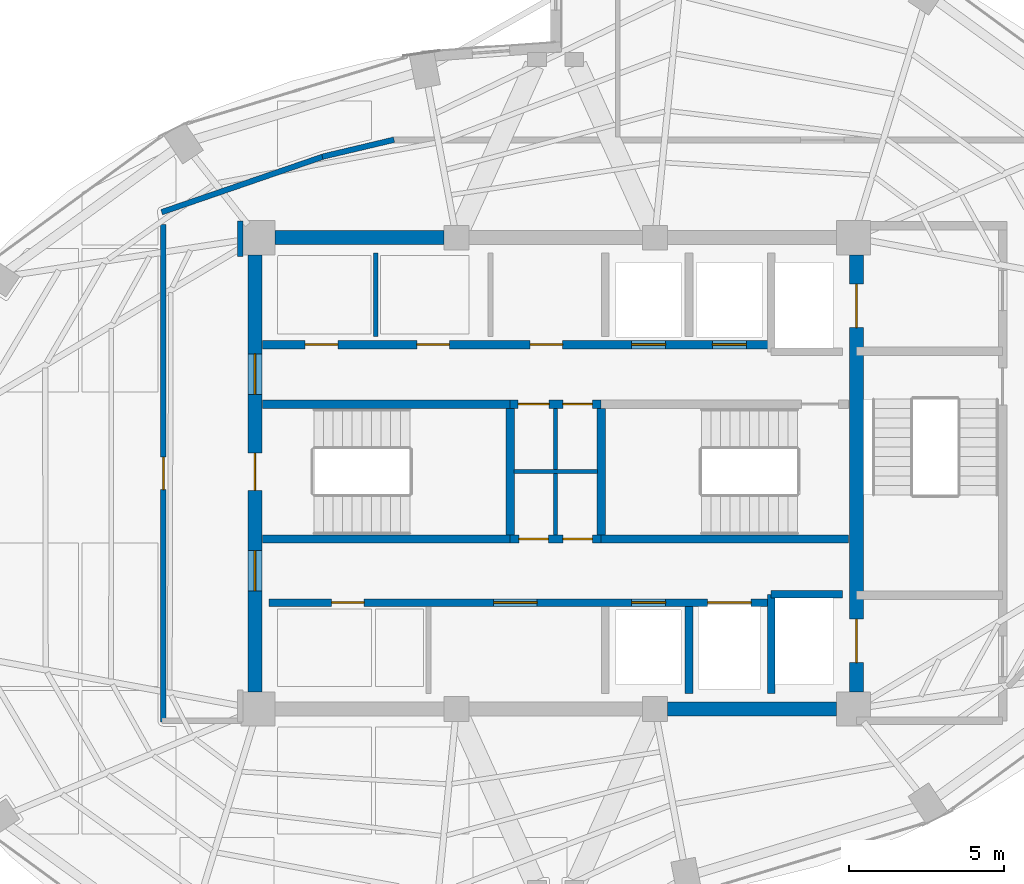
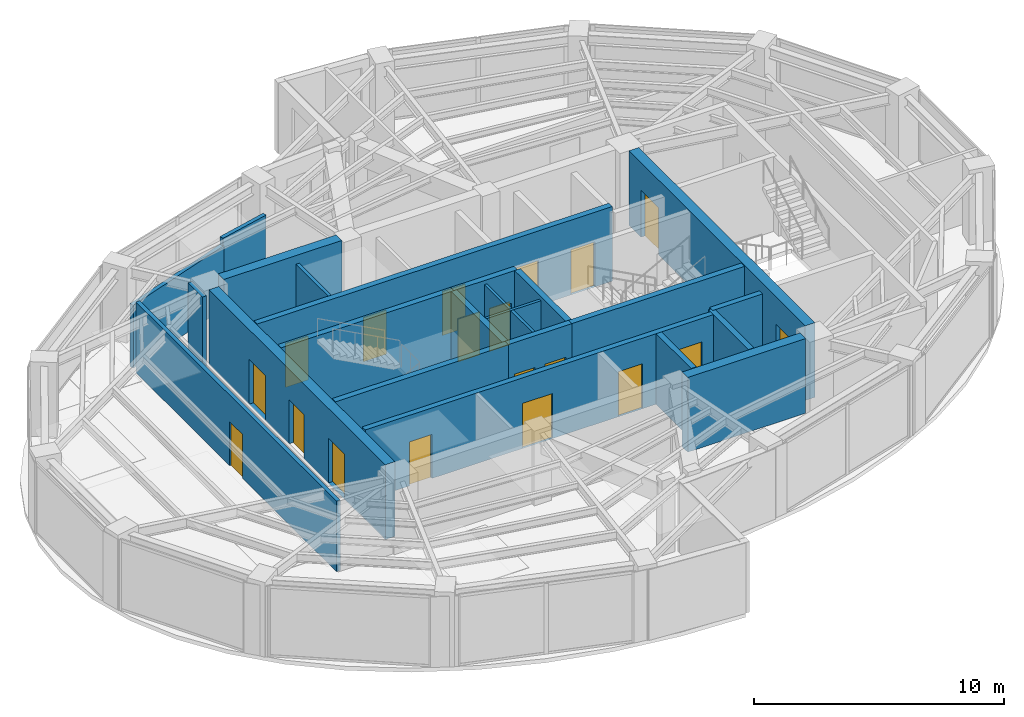
# One storey, part 19 of 22: 23 walls, 19 doors, 19 openings.
"""IFC4 building model written with IfcOpenShell, lengths in metres."""

from ifc_helpers import new_model, si_unit, direction, frame, frame_2d, origin, place, context, subcontext, project, spatial, rectangle, extrude, material, layer, layer_set, type_object, element, fill, save


model = new_model("IFC4")

# Units and contexts
model_context = context("Model", 3, precision=1e-05, world=origin(), true_north=direction((0.0, 1.0)))
body_context = subcontext(model_context, "Body", "Model", "MODEL_VIEW")
ifc_project = project(units=[si_unit("LENGTHUNIT", "METRE"), si_unit("AREAUNIT", "SQUARE_METRE"), si_unit("VOLUMEUNIT", "CUBIC_METRE"), si_unit("PLANEANGLEUNIT", "RADIAN"), si_unit("MASSUNIT", "GRAM", prefix="KILO")], contexts=[model_context])

# Site, building, storey
site_placement = place(None, origin())
site = spatial("IfcSite", under=ifc_project, at=site_placement, CompositionType="ELEMENT")
building_placement = place(site_placement, origin())
building = spatial("IfcBuilding", under=site, at=building_placement, Name="Lazwardi Medical Tower", CompositionType="ELEMENT")
storey_placement = place(building_placement, frame((0.0, 0.0, 258.672119140625)))
storey = spatial("IfcBuildingStorey", under=building, at=storey_placement, Name="L67", CompositionType="ELEMENT", Elevation=258.672119140625)

# Walls
ifc_material_1 = material(Name="Fire-rated gypsum board on steel stud", Category="steel")
ifc_layer_1 = layer(ifc_material_1, 0.179931640625)
ifc_layer_set_1 = layer_set([ifc_layer_1], Name="Fire-rated gypsum board on steel stud")
wall_type_1 = type_object("IfcWallType", Name="WL-COR-180", PredefinedType="PARTITIONING", material=ifc_layer_set_1)
wall_1_placement = place(storey_placement, frame((23.294189453125, 36.422119140625, 0.0), z_axis=(0.0, 0.0, 1.0), x_axis=(0.945493277461, 0.325641616316, 0.0)))
element("IfcWall", 1, at=wall_1_placement, inside=storey, type_object=wall_type_1, Name="L67 Corridor partition 1", PredefinedType="PARTITIONING", context=body_context, shape_type="SweptSolid", body=[
    extrude(rectangle(XDim=5.5615234375, YDim=0.179931640625, at=frame_2d((2.78076171875, 0.0))), origin(), (0.0, 0.0, 1.0), 3.072998046875),
])
wall_2_placement = place(storey_placement, frame((28.475830078125, 38.2109375, 0.0), z_axis=(0.0, 0.0, 1.0), x_axis=(0.973030562203, 0.230676234189, 0.0)))
element("IfcWall", 2, at=wall_2_placement, inside=storey, type_object=wall_type_1, Name="L67 Corridor partition 2", PredefinedType="PARTITIONING", context=body_context, shape_type="SweptSolid", body=[
    extrude(rectangle(XDim=2.377197265625, YDim=0.179931640625, at=frame_2d((1.1884765625, 0.0))), origin(), (0.0, 0.0, 1.0), 3.447998046875),
])
wall_3_placement = place(storey_placement, frame((25.830078125, 36.139892578125, 0.0), z_axis=(0.0, 0.0, 1.0), x_axis=(0.0, -1.0, 0.0)))
element("IfcWall", 3, at=wall_3_placement, inside=storey, type_object=wall_type_1, Name="L67 Corridor partition 7", PredefinedType="PARTITIONING", context=body_context, shape_type="SweptSolid", body=[
    extrude(rectangle(XDim=1.14990234375, YDim=0.179931640625, at=frame_2d((0.574951171875, 0.0))), origin(), (0.0, 0.0, 1.0), 3.447998046875),
])

# Wall, opening, door
wall_4_placement = place(storey_placement, frame((23.35009765625, 19.97998046875, 0.0), z_axis=(0.0, 0.0, 1.0), x_axis=(0.0, 1.0, 0.0)))
wall_4 = element("IfcWall", 4, at=wall_4_placement, inside=storey, type_object=wall_type_1, Name="L67 Corridor partition 10", PredefinedType="PARTITIONING", context=body_context, shape_type="SweptSolid", body=[
    extrude(rectangle(XDim=16.04248046875, YDim=0.179931640625, at=frame_2d((8.021240234375, 0.0))), origin(), (0.0, 0.0, 1.0), 3.447998046875),
])
opening_1_placement = place(wall_4_placement, frame((7.49609375, 0.0, 0.0)))
opening_1 = element("IfcOpeningElement", 5, at=opening_1_placement, cuts=wall_4, Name="Opening D-L67-014", PredefinedType="OPENING", context=body_context, shape_type="SweptSolid", body=[
    extrude(rectangle(XDim=1.050048828125, YDim=2.14990234375, at=frame_2d((0.52490234375, 1.074951171875))), frame((0.0, 0.099853515625, 0.0), z_axis=(0.0, -1.0, 0.0), x_axis=(1.0, 0.0, 0.0)), (0.0, 0.0, 1.0), 0.199951171875),
])
ifc_material_2 = material(Name="Anti-microbial laminate hospital leaf")
door_type_1 = type_object("IfcDoorType", Name="DR-CLN-1050", OperationType="NOTDEFINED", PredefinedType="DOOR", material=ifc_material_2)
door_1_placement = place(opening_1_placement, origin())
door_1 = element("IfcDoor", 6, at=door_1_placement, inside=storey, type_object=door_type_1, Name="L67 Ward Dietetic Pantry Door 01", OperationType="SINGLE_SWING_LEFT", OverallHeight=2.14990234375, OverallWidth=1.050048828125, PredefinedType="DOOR", context=body_context, shape_type="SweptSolid", body=[
    extrude(rectangle(XDim=1.050048828125, YDim=2.14990234375, at=frame_2d((0.52490234375, 1.074951171875))), frame((0.0, 0.02490234375, 0.0), z_axis=(0.0, -1.0, 0.0), x_axis=(1.0, 0.0, 0.0)), (0.0, 0.0, 1.0), 0.050048828125),
])
fill(opening_1, door_1)

# Wall, openings, doors
ifc_material_3 = material(Name="Concrete C60/75", Category="concrete")
ifc_layer_2 = layer(ifc_material_3, 0.449951171875)
ifc_layer_set_2 = layer_set([ifc_layer_2], Name="Concrete C60/75")
wall_type_2 = type_object("IfcWallType", Name="WL-CORE-450", PredefinedType="SHEAR", material=ifc_layer_set_2)
wall_5_placement = place(storey_placement, frame((26.300048828125, 20.949951171875, 0.0), z_axis=(0.0, 0.0, 1.0), x_axis=(0.0, 1.0, 0.0)))
wall_5 = element("IfcWall", 7, at=wall_5_placement, inside=storey, type_object=wall_type_2, Name="Core wall CW-S4 west L67", PredefinedType="SHEAR", context=body_context, shape_type="SweptSolid", body=[
    extrude(rectangle(XDim=14.10009765625, YDim=0.449951171875, at=frame_2d((7.050048828125, 0.0))), origin(), (0.0, 0.0, 1.0), 3.64794921875),
])
opening_2_placement = place(wall_5_placement, frame((6.5, 0.0, 0.0)))
opening_2 = element("IfcOpeningElement", 8, at=opening_2_placement, cuts=wall_5, Name="Opening D-L67-016", PredefinedType="OPENING", context=body_context, shape_type="SweptSolid", body=[
    extrude(rectangle(XDim=1.199951171875, YDim=2.14990234375, at=frame_2d((0.60009765625, 1.074951171875))), frame((0.0, 0.23486328125, 0.0), z_axis=(0.0, -1.0, 0.0), x_axis=(1.0, 0.0, 0.0)), (0.0, 0.0, 1.0), 0.469970703125),
])
opening_3_placement = place(wall_5_placement, frame((9.60009765625, 0.0, 0.0)))
opening_3 = element("IfcOpeningElement", 9, at=opening_3_placement, cuts=wall_5, Name="Opening D-L67-012", PredefinedType="OPENING", context=body_context, shape_type="SweptSolid", body=[
    extrude(rectangle(XDim=1.300048828125, YDim=2.199951171875, at=frame_2d((0.64990234375, 1.10009765625))), frame((0.0, 0.23486328125, 0.0), z_axis=(0.0, -1.0, 0.0), x_axis=(1.0, 0.0, 0.0)), (0.0, 0.0, 1.0), 0.469970703125),
])
opening_4_placement = place(wall_5_placement, frame((3.260009765625, 0.0, 0.0)))
opening_4 = element("IfcOpeningElement", 10, at=opening_4_placement, cuts=wall_5, Name="Opening D-L67-013", PredefinedType="OPENING", context=body_context, shape_type="SweptSolid", body=[
    extrude(rectangle(XDim=1.300048828125, YDim=2.199951171875, at=frame_2d((0.64990234375, 1.10009765625))), frame((0.0, 0.23486328125, 0.0), z_axis=(0.0, -1.0, 0.0), x_axis=(1.0, 0.0, 0.0)), (0.0, 0.0, 1.0), 0.469970703125),
])
ifc_material_4 = material(Name="Fire-rated steel leaf and frame", Category="steel")
door_type_2 = type_object("IfcDoorType", Name="DR-FFL-1300", OperationType="NOTDEFINED", PredefinedType="DOOR", material=ifc_material_4)
door_2_placement = place(opening_3_placement, origin())
door_2 = element("IfcDoor", 11, at=door_2_placement, inside=storey, type_object=door_type_2, Name="L67 North Lift Lobby Door", OperationType="SINGLE_SWING_LEFT", OverallHeight=2.199951171875, OverallWidth=1.300048828125, PredefinedType="DOOR", context=body_context, shape_type="SweptSolid", body=[
    extrude(rectangle(XDim=1.300048828125, YDim=2.199951171875, at=frame_2d((0.64990234375, 1.10009765625))), frame((0.0, 0.02490234375, 0.0), z_axis=(0.0, -1.0, 0.0), x_axis=(1.0, 0.0, 0.0)), (0.0, 0.0, 1.0), 0.050048828125),
])
fill(opening_3, door_2)
door_3_placement = place(opening_4_placement, origin())
door_3 = element("IfcDoor", 12, at=door_3_placement, inside=storey, type_object=door_type_2, Name="L67 South Lift Lobby Door", OperationType="SINGLE_SWING_RIGHT", OverallHeight=2.199951171875, OverallWidth=1.300048828125, PredefinedType="DOOR", context=body_context, shape_type="SweptSolid", body=[
    extrude(rectangle(XDim=1.300048828125, YDim=2.199951171875, at=frame_2d((0.64990234375, 1.10009765625))), frame((0.0, 0.02490234375, 0.0), z_axis=(0.0, -1.0, 0.0), x_axis=(1.0, 0.0, 0.0)), (0.0, 0.0, 1.0), 0.050048828125),
])
fill(opening_4, door_3)
door_type_3 = type_object("IfcDoorType", Name="DR-STR-1200", OperationType="NOTDEFINED", PredefinedType="DOOR", material=ifc_material_4)
door_4_placement = place(opening_2_placement, origin())
door_4 = element("IfcDoor", 13, at=door_4_placement, inside=storey, type_object=door_type_3, Name="L67 Exit Stair ST1 Door", OperationType="SINGLE_SWING_LEFT", OverallHeight=2.14990234375, OverallWidth=1.199951171875, PredefinedType="DOOR", context=body_context, shape_type="SweptSolid", body=[
    extrude(rectangle(XDim=1.199951171875, YDim=2.14990234375, at=frame_2d((0.60009765625, 1.074951171875))), frame((0.0, 0.02490234375, 0.0), z_axis=(0.0, -1.0, 0.0), x_axis=(1.0, 0.0, 0.0)), (0.0, 0.0, 1.0), 0.050048828125),
])
fill(opening_2, door_4)

wall_6_placement = place(storey_placement, frame((45.699951171875, 20.949951171875, 0.0), z_axis=(0.0, 0.0, 1.0), x_axis=(0.0, 1.0, 0.0)))
wall_6 = element("IfcWall", 14, at=wall_6_placement, inside=storey, type_object=wall_type_2, Name="Core wall CW-S4 east L67", PredefinedType="SHEAR", context=body_context, shape_type="SweptSolid", body=[
    extrude(rectangle(XDim=14.10009765625, YDim=0.449951171875, at=frame_2d((7.050048828125, 0.0))), origin(), (0.0, 0.0, 1.0), 3.64794921875),
])
opening_5_placement = place(wall_6_placement, frame((11.75, 0.0, 0.0)))
opening_5 = element("IfcOpeningElement", 15, at=opening_5_placement, cuts=wall_6, Name="Opening LD-L67-001", PredefinedType="OPENING", context=body_context, shape_type="SweptSolid", body=[
    extrude(rectangle(XDim=1.39990234375, YDim=2.300048828125, at=frame_2d((0.699951171875, 1.14990234375))), frame((0.0, 0.23486328125, 0.0), z_axis=(0.0, -1.0, 0.0), x_axis=(1.0, 0.0, 0.0)), (0.0, 0.0, 1.0), 0.469970703125),
])
opening_6_placement = place(wall_6_placement, frame((0.949951171875, 0.0, 0.0)))
opening_6 = element("IfcOpeningElement", 16, at=opening_6_placement, cuts=wall_6, Name="Opening LD-L67-002", PredefinedType="OPENING", context=body_context, shape_type="SweptSolid", body=[
    extrude(rectangle(XDim=1.39990234375, YDim=2.300048828125, at=frame_2d((0.699951171875, 1.14990234375))), frame((0.0, 0.23486328125, 0.0), z_axis=(0.0, -1.0, 0.0), x_axis=(1.0, 0.0, 0.0)), (0.0, 0.0, 1.0), 0.469970703125),
])
ifc_material_5 = material(Name="Brushed stainless steel bed-lift landing door", Category="steel")
door_type_4 = type_object("IfcDoorType", Name="DR-LFT-1400", OperationType="NOTDEFINED", PredefinedType="DOOR", material=ifc_material_5)
door_5_placement = place(opening_5_placement, origin())
door_5 = element("IfcDoor", 17, at=door_5_placement, inside=storey, type_object=door_type_4, Name="L67 Lift Landing Door FL-01", OperationType="SLIDING_TO_LEFT", OverallHeight=2.300048828125, OverallWidth=1.39990234375, PredefinedType="DOOR", context=body_context, shape_type="SweptSolid", body=[
    extrude(rectangle(XDim=1.39990234375, YDim=2.300048828125, at=frame_2d((0.699951171875, 1.14990234375))), frame((0.0, 0.02490234375, 0.0), z_axis=(0.0, -1.0, 0.0), x_axis=(1.0, 0.0, 0.0)), (0.0, 0.0, 1.0), 0.050048828125),
])
fill(opening_5, door_5)
door_6_placement = place(opening_6_placement, origin())
door_6 = element("IfcDoor", 18, at=door_6_placement, inside=storey, type_object=door_type_4, Name="L67 Lift Landing Door FL-02", OperationType="SLIDING_TO_LEFT", OverallHeight=2.300048828125, OverallWidth=1.39990234375, PredefinedType="DOOR", context=body_context, shape_type="SweptSolid", body=[
    extrude(rectangle(XDim=1.39990234375, YDim=2.300048828125, at=frame_2d((0.699951171875, 1.14990234375))), frame((0.0, 0.02490234375, 0.0), z_axis=(0.0, -1.0, 0.0), x_axis=(1.0, 0.0, 0.0)), (0.0, 0.0, 1.0), 0.050048828125),
])
fill(opening_6, door_6)

# Walls
for number, where, z_axis, x_axis, name in (
    (19, (26.949951171875, 35.60009765625, 0.0), (0.0, 0.0, 1.0), (1.0, 0.0, 0.0), "Core wall CW-S4 N1 L67"),
    (20, (39.60009765625, 20.39990234375, 0.0), (0.0, 0.0, 1.0), (1.0, 0.0, 0.0), "Core wall CW-S4 S3 L67"),
):
    element("IfcWall", number, at=place(storey_placement, frame(where, z_axis=z_axis, x_axis=x_axis)), inside=storey, type_object=wall_type_2, Name=name, PredefinedType="SHEAR", context=body_context, shape_type="SweptSolid", body=[
        extrude(rectangle(XDim=5.449951171875, YDim=0.449951171875, at=frame_2d((2.72509765625, 0.0))), origin(), (0.0, 0.0, 1.0), 3.64794921875),
    ])
ifc_material_6 = material(Name="Moisture-resistant gypsum board partition")
ifc_layer_3 = layer(ifc_material_6, 0.125)
ifc_layer_set_3 = layer_set([ifc_layer_3], Name="Moisture-resistant gypsum board partition")
wall_type_3 = type_object("IfcWallType", Name="WL-ENS-125", PredefinedType="PARTITIONING", material=ifc_layer_set_3)
wall_7_placement = place(storey_placement, frame((34.64990234375, 28.06005859375, 0.0), z_axis=(0.0, 0.0, 1.0), x_axis=(1.0, 0.0, 0.0)))
element("IfcWall", 21, at=wall_7_placement, inside=storey, type_object=wall_type_3, Name="L67 Core 4-way H divider", PredefinedType="PARTITIONING", context=body_context, shape_type="SweptSolid", body=[
    extrude(rectangle(XDim=2.7001953125, YDim=0.125, at=frame_2d((1.35009765625, 0.0))), origin(), (0.0, 0.0, 1.0), 3.447998046875),
])
wall_8_placement = place(storey_placement, frame((36.0, 26.02001953125, 0.0), z_axis=(0.0, 0.0, 1.0), x_axis=(0.0, 1.0, 0.0)))
element("IfcWall", 22, at=wall_8_placement, inside=storey, type_object=wall_type_3, Name="L67 Core 4-way V divider", PredefinedType="PARTITIONING", context=body_context, shape_type="SweptSolid", body=[
    extrude(rectangle(XDim=4.080078125, YDim=0.125, at=frame_2d((2.0400390625, 0.0))), origin(), (0.0, 0.0, 1.0), 3.447998046875),
])

# Wall, openings, doors
ifc_material_7 = material(Name="Autoclaved aerated concrete blockwork", Category="masonry")
ifc_layer_4 = layer(ifc_material_7, 0.25)
ifc_layer_set_4 = layer_set([ifc_layer_4], Name="Autoclaved aerated concrete blockwork")
wall_type_4 = type_object("IfcWallType", Name="WL-SHAFT-250", PredefinedType="SOLIDWALL", material=ifc_layer_set_4)
wall_9_placement = place(storey_placement, frame((26.75, 23.830078125, 0.0), z_axis=(0.0, 0.0, 1.0), x_axis=(1.0, 0.0, 0.0)))
wall_9 = element("IfcWall", 23, at=wall_9_placement, inside=storey, type_object=wall_type_4, Name="L67 South lift bank front wall", PredefinedType="SOLIDWALL", context=body_context, shape_type="SweptSolid", body=[
    extrude(rectangle(XDim=16.199951171875, YDim=0.25, at=frame_2d((8.10009765625, 0.0))), origin(), (0.0, 0.0, 1.0), 3.447998046875),
])
opening_7_placement = place(wall_9_placement, frame((2.02490234375, 0.0, 0.0)))
opening_7 = element("IfcOpeningElement", 24, at=opening_7_placement, cuts=wall_9, Name="Opening D-L67-008", PredefinedType="OPENING", context=body_context, shape_type="SweptSolid", body=[
    extrude(rectangle(XDim=1.050048828125, YDim=2.14990234375, at=frame_2d((0.52490234375, 1.074951171875))), frame((0.0, 0.135009765625, 0.0), z_axis=(0.0, -1.0, 0.0), x_axis=(1.0, 0.0, 0.0)), (0.0, 0.0, 1.0), 0.27001953125),
])
opening_8_placement = place(wall_9_placement, frame((7.25, 0.0, 0.0)))
opening_8 = element("IfcOpeningElement", 25, at=opening_8_placement, cuts=wall_9, Name="Opening D-L67-009", PredefinedType="OPENING", context=body_context, shape_type="SweptSolid", body=[
    extrude(rectangle(XDim=1.39990234375, YDim=2.199951171875, at=frame_2d((0.699951171875, 1.10009765625))), frame((0.0, 0.135009765625, 0.0), z_axis=(0.0, -1.0, 0.0), x_axis=(1.0, 0.0, 0.0)), (0.0, 0.0, 1.0), 0.27001953125),
])
opening_9_placement = place(wall_9_placement, frame((11.699951171875, 0.0, 0.0)))
opening_9 = element("IfcOpeningElement", 26, at=opening_9_placement, cuts=wall_9, Name="Opening LD-L67-006", PredefinedType="OPENING", context=body_context, shape_type="SweptSolid", body=[
    extrude(rectangle(XDim=1.10009765625, YDim=2.199951171875, at=frame_2d((0.550048828125, 1.10009765625))), frame((0.0, 0.135009765625, 0.0), z_axis=(0.0, -1.0, 0.0), x_axis=(1.0, 0.0, 0.0)), (0.0, 0.0, 1.0), 0.27001953125),
])
opening_10_placement = place(wall_9_placement, frame((14.14990234375, 0.0, 0.0)))
opening_10 = element("IfcOpeningElement", 27, at=opening_10_placement, cuts=wall_9, Name="Opening LD-L67-003", PredefinedType="OPENING", context=body_context, shape_type="SweptSolid", body=[
    extrude(rectangle(XDim=1.39990234375, YDim=2.300048828125, at=frame_2d((0.699951171875, 1.14990234375))), frame((0.0, 0.135009765625, 0.0), z_axis=(0.0, -1.0, 0.0), x_axis=(1.0, 0.0, 0.0)), (0.0, 0.0, 1.0), 0.27001953125),
])
door_type_5 = type_object("IfcDoorType", Name="DR-BED-1400", OperationType="NOTDEFINED", PredefinedType="DOOR", material=ifc_material_2)
door_7_placement = place(opening_8_placement, origin())
door_7 = element("IfcDoor", 28, at=door_7_placement, inside=storey, type_object=door_type_5, Name="L67 Dialysis Door", OperationType="SINGLE_SWING_LEFT", OverallHeight=2.199951171875, OverallWidth=1.39990234375, PredefinedType="DOOR", context=body_context, shape_type="SweptSolid", body=[
    extrude(rectangle(XDim=1.39990234375, YDim=2.199951171875, at=frame_2d((0.699951171875, 1.10009765625))), frame((0.0, 0.02490234375, 0.0), z_axis=(0.0, -1.0, 0.0), x_axis=(1.0, 0.0, 0.0)), (0.0, 0.0, 1.0), 0.050048828125),
])
fill(opening_8, door_7)
door_8_placement = place(opening_7_placement, origin())
door_8 = element("IfcDoor", 29, at=door_8_placement, inside=storey, type_object=door_type_1, Name="L67 Clinical Laboratory Door", OperationType="SINGLE_SWING_RIGHT", OverallHeight=2.14990234375, OverallWidth=1.050048828125, PredefinedType="DOOR", context=body_context, shape_type="SweptSolid", body=[
    extrude(rectangle(XDim=1.050048828125, YDim=2.14990234375, at=frame_2d((0.52490234375, 1.074951171875))), frame((0.0, 0.02490234375, 0.0), z_axis=(0.0, -1.0, 0.0), x_axis=(1.0, 0.0, 0.0)), (0.0, 0.0, 1.0), 0.050048828125),
])
fill(opening_7, door_8)
ifc_material_8 = material(Name="Brushed bronze stainless steel landing door", Category="steel")
door_type_6 = type_object("IfcDoorType", Name="DR-LFT-1100", OperationType="NOTDEFINED", PredefinedType="DOOR", material=ifc_material_8)
door_9_placement = place(opening_9_placement, origin())
door_9 = element("IfcDoor", 30, at=door_9_placement, inside=storey, type_object=door_type_6, Name="L67 Lift Landing Door PL-11", OperationType="SLIDING_TO_LEFT", OverallHeight=2.199951171875, OverallWidth=1.10009765625, PredefinedType="DOOR", context=body_context, shape_type="SweptSolid", body=[
    extrude(rectangle(XDim=1.10009765625, YDim=2.199951171875, at=frame_2d((0.550048828125, 1.10009765625))), frame((0.0, 0.02490234375, 0.0), z_axis=(0.0, -1.0, 0.0), x_axis=(1.0, 0.0, 0.0)), (0.0, 0.0, 1.0), 0.050048828125),
])
fill(opening_9, door_9)
door_10_placement = place(opening_10_placement, origin())
door_10 = element("IfcDoor", 31, at=door_10_placement, inside=storey, type_object=door_type_4, Name="L67 Lift Landing Door FL-03", OperationType="SLIDING_TO_LEFT", OverallHeight=2.300048828125, OverallWidth=1.39990234375, PredefinedType="DOOR", context=body_context, shape_type="SweptSolid", body=[
    extrude(rectangle(XDim=1.39990234375, YDim=2.300048828125, at=frame_2d((0.699951171875, 1.14990234375))), frame((0.0, 0.02490234375, 0.0), z_axis=(0.0, -1.0, 0.0), x_axis=(1.0, 0.0, 0.0)), (0.0, 0.0, 1.0), 0.050048828125),
])
fill(opening_10, door_10)

# Walls
wall_10_placement = place(storey_placement, frame((42.949951171875, 20.89990234375, 0.0), z_axis=(0.0, 0.0, 1.0), x_axis=(0.0, 1.0, 0.0)))
element("IfcWall", 32, at=wall_10_placement, inside=storey, type_object=wall_type_4, Name="L67 FL-02 West shaft wall", PredefinedType="SOLIDWALL", context=body_context, shape_type="SweptSolid", body=[
    extrude(rectangle(XDim=3.2001953125, YDim=0.25, at=frame_2d((1.60009765625, 0.0))), origin(), (0.0, 0.0, 1.0), 3.447998046875),
])
wall_11_placement = place(storey_placement, frame((42.949951171875, 24.10009765625, 0.0), z_axis=(0.0, 0.0, 1.0), x_axis=(1.0, 0.0, 0.0)))
element("IfcWall", 33, at=wall_11_placement, inside=storey, type_object=wall_type_4, Name="L67 FL-02 North shaft wall", PredefinedType="SOLIDWALL", context=body_context, shape_type="SweptSolid", body=[
    extrude(rectangle(XDim=2.300048828125, YDim=0.25, at=frame_2d((1.14990234375, 0.0))), origin(), (0.0, 0.0, 1.0), 3.447998046875),
])
wall_12_placement = place(storey_placement, frame((40.300048828125, 20.89990234375, 0.0), z_axis=(0.0, 0.0, 1.0), x_axis=(0.0, 1.0, 0.0)))
element("IfcWall", 34, at=wall_12_placement, inside=storey, type_object=wall_type_4, Name="L67 South hoistway divider", PredefinedType="SOLIDWALL", context=body_context, shape_type="SweptSolid", body=[
    extrude(rectangle(XDim=2.800048828125, YDim=0.25, at=frame_2d((1.39990234375, 0.0))), origin(), (0.0, 0.0, 1.0), 3.447998046875),
])
ifc_material_9 = material(Name="Concrete C50/60", Category="concrete")
ifc_layer_5 = layer(ifc_material_9, 0.27001953125)
ifc_layer_set_5 = layer_set([ifc_layer_5], Name="Concrete C50/60")
wall_type_5 = type_object("IfcWallType", Name="WL-STR-250", PredefinedType="SHEAR", material=ifc_layer_set_5)
wall_13_placement = place(storey_placement, frame((26.550048828125, 30.235107421875, 0.0), z_axis=(0.0, 0.0, 1.0), x_axis=(1.0, 0.0, 0.0)))
element("IfcWall", 35, at=wall_13_placement, inside=storey, type_object=wall_type_5, Name="L67 ST1 North shear shaft wall SW-S1", PredefinedType="SHEAR", context=body_context, shape_type="SweptSolid", body=[
    extrude(rectangle(XDim=7.98486328125, YDim=0.27001953125, at=frame_2d((3.992431640625, 0.0))), origin(), (0.0, 0.0, 1.0), 3.64794921875),
])

# Wall, openings, doors
wall_14_placement = place(storey_placement, frame((34.534912109375, 30.235107421875, 0.0), z_axis=(0.0, 0.0, 1.0), x_axis=(1.0, 0.0, 0.0)))
wall_14 = element("IfcWall", 36, at=wall_14_placement, inside=storey, type_object=wall_type_5, Name="L67 Core service North shear wall SW-S1", PredefinedType="SHEAR", context=body_context, shape_type="SweptSolid", body=[
    extrude(rectangle(XDim=2.93017578125, YDim=0.27001953125, at=frame_2d((1.465087890625, 0.0))), origin(), (0.0, 0.0, 1.0), 3.64794921875),
])
opening_11_placement = place(wall_14_placement, frame((0.2548828125, 0.0, 0.0)))
opening_11 = element("IfcOpeningElement", 37, at=opening_11_placement, cuts=wall_14, Name="Opening D-L67-003", PredefinedType="OPENING", context=body_context, shape_type="SweptSolid", body=[
    extrude(rectangle(XDim=1.0, YDim=2.10009765625, at=frame_2d((0.5, 1.050048828125))), frame((0.0, 0.14501953125, 0.0), z_axis=(0.0, -1.0, 0.0), x_axis=(1.0, 0.0, 0.0)), (0.0, 0.0, 1.0), 0.2900390625),
])
opening_12_placement = place(wall_14_placement, frame((1.699951171875, 0.0, 0.0)))
opening_12 = element("IfcOpeningElement", 38, at=opening_12_placement, cuts=wall_14, Name="Opening D-L67-004", PredefinedType="OPENING", context=body_context, shape_type="SweptSolid", body=[
    extrude(rectangle(XDim=0.949951171875, YDim=2.10009765625, at=frame_2d((0.47509765625, 1.050048828125))), frame((0.0, 0.14501953125, 0.0), z_axis=(0.0, -1.0, 0.0), x_axis=(1.0, 0.0, 0.0)), (0.0, 0.0, 1.0), 0.2900390625),
])
ifc_material_10 = material(Name="Moisture-resistant laminate door leaf")
door_type_7 = type_object("IfcDoorType", Name="DR-AWC-1000", OperationType="NOTDEFINED", PredefinedType="DOOR", material=ifc_material_10)
door_11_placement = place(opening_11_placement, origin())
door_11 = element("IfcDoor", 39, at=door_11_placement, inside=storey, type_object=door_type_7, Name="L67 Accessible WC Door", OperationType="SINGLE_SWING_LEFT", OverallHeight=2.10009765625, OverallWidth=1.0, PredefinedType="DOOR", context=body_context, shape_type="SweptSolid", body=[
    extrude(rectangle(XDim=1.0, YDim=2.10009765625, at=frame_2d((0.5, 1.050048828125))), frame((0.0, 0.02490234375, 0.0), z_axis=(0.0, -1.0, 0.0), x_axis=(1.0, 0.0, 0.0)), (0.0, 0.0, 1.0), 0.050048828125),
])
fill(opening_11, door_11)
door_type_8 = type_object("IfcDoorType", Name="DR-ENS-950", OperationType="NOTDEFINED", PredefinedType="DOOR", material=ifc_material_10)
door_12_placement = place(opening_12_placement, origin())
door_12 = element("IfcDoor", 40, at=door_12_placement, inside=storey, type_object=door_type_8, Name="L67 Clean Utility Door", OperationType="SINGLE_SWING_RIGHT", OverallHeight=2.10009765625, OverallWidth=0.949951171875, PredefinedType="DOOR", context=body_context, shape_type="SweptSolid", body=[
    extrude(rectangle(XDim=0.949951171875, YDim=2.10009765625, at=frame_2d((0.47509765625, 1.050048828125))), frame((0.0, 0.02490234375, 0.0), z_axis=(0.0, -1.0, 0.0), x_axis=(1.0, 0.0, 0.0)), (0.0, 0.0, 1.0), 0.050048828125),
])
fill(opening_12, door_12)

# Wall
wall_15_placement = place(storey_placement, frame((26.550048828125, 25.885009765625, 0.0), z_axis=(0.0, 0.0, 1.0), x_axis=(1.0, 0.0, 0.0)))
element("IfcWall", 41, at=wall_15_placement, inside=storey, type_object=wall_type_5, Name="L67 ST1 South shear shaft wall SW-S1", PredefinedType="SHEAR", context=body_context, shape_type="SweptSolid", body=[
    extrude(rectangle(XDim=7.98486328125, YDim=0.27001953125, at=frame_2d((3.992431640625, 0.0))), origin(), (0.0, 0.0, 1.0), 3.64794921875),
])

# Wall, openings, doors
wall_16_placement = place(storey_placement, frame((34.534912109375, 25.885009765625, 0.0), z_axis=(0.0, 0.0, 1.0), x_axis=(1.0, 0.0, 0.0)))
wall_16 = element("IfcWall", 42, at=wall_16_placement, inside=storey, type_object=wall_type_5, Name="L67 Core service South shear wall SW-S1", PredefinedType="SHEAR", context=body_context, shape_type="SweptSolid", body=[
    extrude(rectangle(XDim=2.93017578125, YDim=0.27001953125, at=frame_2d((1.465087890625, 0.0))), origin(), (0.0, 0.0, 1.0), 3.64794921875),
])
opening_13_placement = place(wall_16_placement, frame((0.280029296875, 0.0, 0.0)))
opening_13 = element("IfcOpeningElement", 43, at=opening_13_placement, cuts=wall_16, Name="Opening D-L67-001", PredefinedType="OPENING", context=body_context, shape_type="SweptSolid", body=[
    extrude(rectangle(XDim=0.949951171875, YDim=2.10009765625, at=frame_2d((0.47509765625, 1.050048828125))), frame((0.0, 0.14501953125, 0.0), z_axis=(0.0, -1.0, 0.0), x_axis=(1.0, 0.0, 0.0)), (0.0, 0.0, 1.0), 0.2900390625),
])
opening_14_placement = place(wall_16_placement, frame((1.699951171875, 0.0, 0.0)))
opening_14 = element("IfcOpeningElement", 44, at=opening_14_placement, cuts=wall_16, Name="Opening D-L67-002", PredefinedType="OPENING", context=body_context, shape_type="SweptSolid", body=[
    extrude(rectangle(XDim=0.949951171875, YDim=2.10009765625, at=frame_2d((0.47509765625, 1.050048828125))), frame((0.0, 0.14501953125, 0.0), z_axis=(0.0, -1.0, 0.0), x_axis=(1.0, 0.0, 0.0)), (0.0, 0.0, 1.0), 0.2900390625),
])
door_13_placement = place(opening_13_placement, origin())
door_13 = element("IfcDoor", 45, at=door_13_placement, inside=storey, type_object=door_type_8, Name="L67 Staff WC Door", OperationType="SINGLE_SWING_LEFT", OverallHeight=2.10009765625, OverallWidth=0.949951171875, PredefinedType="DOOR", context=body_context, shape_type="SweptSolid", body=[
    extrude(rectangle(XDim=0.949951171875, YDim=2.10009765625, at=frame_2d((0.47509765625, 1.050048828125))), frame((0.0, 0.02490234375, 0.0), z_axis=(0.0, -1.0, 0.0), x_axis=(1.0, 0.0, 0.0)), (0.0, 0.0, 1.0), 0.050048828125),
])
fill(opening_13, door_13)
door_14_placement = place(opening_14_placement, origin())
door_14 = element("IfcDoor", 46, at=door_14_placement, inside=storey, type_object=door_type_8, Name="L67 Comms Room Door", OperationType="SINGLE_SWING_RIGHT", OverallHeight=2.10009765625, OverallWidth=0.949951171875, PredefinedType="DOOR", context=body_context, shape_type="SweptSolid", body=[
    extrude(rectangle(XDim=0.949951171875, YDim=2.10009765625, at=frame_2d((0.47509765625, 1.050048828125))), frame((0.0, 0.02490234375, 0.0), z_axis=(0.0, -1.0, 0.0), x_axis=(1.0, 0.0, 0.0)), (0.0, 0.0, 1.0), 0.050048828125),
])
fill(opening_14, door_14)

# Walls
wall_17_placement = place(storey_placement, frame((37.465087890625, 25.885009765625, 0.0), z_axis=(0.0, 0.0, 1.0), x_axis=(1.0, 0.0, 0.0)))
element("IfcWall", 47, at=wall_17_placement, inside=storey, type_object=wall_type_5, Name="L67 ST2 South shear shaft wall SW-S1", PredefinedType="SHEAR", context=body_context, shape_type="SweptSolid", body=[
    extrude(rectangle(XDim=7.98486328125, YDim=0.27001953125, at=frame_2d((3.992431640625, 0.0))), origin(), (0.0, 0.0, 1.0), 3.64794921875),
])
for number, where, z_axis, x_axis, name in (
    (48, (34.534912109375, 26.02001953125, 0.0), (0.0, 0.0, 1.0), (0.0, 1.0, 0.0), "L67 ST1 East shear shaft wall SW-S1"),
    (49, (37.465087890625, 26.02001953125, 0.0), (0.0, 0.0, 1.0), (0.0, 1.0, 0.0), "L67 ST2 West shear shaft wall SW-S1"),
):
    element("IfcWall", number, at=place(storey_placement, frame(where, z_axis=z_axis, x_axis=x_axis)), inside=storey, type_object=wall_type_5, Name=name, PredefinedType="SHEAR", context=body_context, shape_type="SweptSolid", body=[
        extrude(rectangle(XDim=4.080078125, YDim=0.27001953125, at=frame_2d((2.0400390625, 0.0))), origin(), (0.0, 0.0, 1.0), 3.64794921875),
    ])

# Wall, openings, doors
wall_18_placement = place(storey_placement, frame((26.550048828125, 32.14990234375, 0.0), z_axis=(0.0, 0.0, 1.0), x_axis=(1.0, 0.0, 0.0)))
wall_18 = element("IfcWall", 50, at=wall_18_placement, inside=storey, type_object=wall_type_5, Name="L67 North lift bank shear wall SW-S1", PredefinedType="SHEAR", context=body_context, shape_type="SweptSolid", body=[
    extrude(rectangle(XDim=16.39990234375, YDim=0.27001953125, at=frame_2d((8.199951171875, 0.0))), origin(), (0.0, 0.0, 1.0), 3.64794921875),
])
opening_15_placement = place(wall_18_placement, frame((1.375, 0.0, 0.0)))
opening_15 = element("IfcOpeningElement", 51, at=opening_15_placement, cuts=wall_18, Name="Opening D-L67-005", PredefinedType="OPENING", context=body_context, shape_type="SweptSolid", body=[
    extrude(rectangle(XDim=1.050048828125, YDim=2.14990234375, at=frame_2d((0.52490234375, 1.074951171875))), frame((0.0, 0.14501953125, 0.0), z_axis=(0.0, -1.0, 0.0), x_axis=(1.0, 0.0, 0.0)), (0.0, 0.0, 1.0), 0.2900390625),
])
opening_16_placement = place(wall_18_placement, frame((4.97509765625, 0.0, 0.0)))
opening_16 = element("IfcOpeningElement", 52, at=opening_16_placement, cuts=wall_18, Name="Opening D-L67-006", PredefinedType="OPENING", context=body_context, shape_type="SweptSolid", body=[
    extrude(rectangle(XDim=1.050048828125, YDim=2.14990234375, at=frame_2d((0.52490234375, 1.074951171875))), frame((0.0, 0.14501953125, 0.0), z_axis=(0.0, -1.0, 0.0), x_axis=(1.0, 0.0, 0.0)), (0.0, 0.0, 1.0), 0.2900390625),
])
opening_17_placement = place(wall_18_placement, frame((8.625, 0.0, 0.0)))
opening_17 = element("IfcOpeningElement", 53, at=opening_17_placement, cuts=wall_18, Name="Opening D-L67-007", PredefinedType="OPENING", context=body_context, shape_type="SweptSolid", body=[
    extrude(rectangle(XDim=1.050048828125, YDim=2.14990234375, at=frame_2d((0.52490234375, 1.074951171875))), frame((0.0, 0.14501953125, 0.0), z_axis=(0.0, -1.0, 0.0), x_axis=(1.0, 0.0, 0.0)), (0.0, 0.0, 1.0), 0.2900390625),
])
opening_18_placement = place(wall_18_placement, frame((11.89990234375, 0.0, 0.0)))
opening_18 = element("IfcOpeningElement", 54, at=opening_18_placement, cuts=wall_18, Name="Opening LD-L67-004", PredefinedType="OPENING", context=body_context, shape_type="SweptSolid", body=[
    extrude(rectangle(XDim=1.10009765625, YDim=2.199951171875, at=frame_2d((0.550048828125, 1.10009765625))), frame((0.0, 0.14501953125, 0.0), z_axis=(0.0, -1.0, 0.0), x_axis=(1.0, 0.0, 0.0)), (0.0, 0.0, 1.0), 0.2900390625),
])
opening_19_placement = place(wall_18_placement, frame((14.5, 0.0, 0.0)))
opening_19 = element("IfcOpeningElement", 55, at=opening_19_placement, cuts=wall_18, Name="Opening LD-L67-005", PredefinedType="OPENING", context=body_context, shape_type="SweptSolid", body=[
    extrude(rectangle(XDim=1.10009765625, YDim=2.199951171875, at=frame_2d((0.550048828125, 1.10009765625))), frame((0.0, 0.14501953125, 0.0), z_axis=(0.0, -1.0, 0.0), x_axis=(1.0, 0.0, 0.0)), (0.0, 0.0, 1.0), 0.2900390625),
])
door_15_placement = place(opening_15_placement, origin())
door_15 = element("IfcDoor", 56, at=door_15_placement, inside=storey, type_object=door_type_1, Name="L67 Pantry Door", OperationType="SINGLE_SWING_LEFT", OverallHeight=2.14990234375, OverallWidth=1.050048828125, PredefinedType="DOOR", context=body_context, shape_type="SweptSolid", body=[
    extrude(rectangle(XDim=1.050048828125, YDim=2.14990234375, at=frame_2d((0.52490234375, 1.074951171875))), frame((0.0, 0.02490234375, 0.0), z_axis=(0.0, -1.0, 0.0), x_axis=(1.0, 0.0, 0.0)), (0.0, 0.0, 1.0), 0.050048828125),
])
fill(opening_15, door_15)
door_16_placement = place(opening_16_placement, origin())
door_16 = element("IfcDoor", 57, at=door_16_placement, inside=storey, type_object=door_type_1, Name="L67 Pharmacy Door", OperationType="SINGLE_SWING_RIGHT", OverallHeight=2.14990234375, OverallWidth=1.050048828125, PredefinedType="DOOR", context=body_context, shape_type="SweptSolid", body=[
    extrude(rectangle(XDim=1.050048828125, YDim=2.14990234375, at=frame_2d((0.52490234375, 1.074951171875))), frame((0.0, 0.02490234375, 0.0), z_axis=(0.0, -1.0, 0.0), x_axis=(1.0, 0.0, 0.0)), (0.0, 0.0, 1.0), 0.050048828125),
])
fill(opening_16, door_16)
door_17_placement = place(opening_17_placement, origin())
door_17 = element("IfcDoor", 58, at=door_17_placement, inside=storey, type_object=door_type_1, Name="L67 Consult Door", OperationType="SINGLE_SWING_LEFT", OverallHeight=2.14990234375, OverallWidth=1.050048828125, PredefinedType="DOOR", context=body_context, shape_type="SweptSolid", body=[
    extrude(rectangle(XDim=1.050048828125, YDim=2.14990234375, at=frame_2d((0.52490234375, 1.074951171875))), frame((0.0, 0.02490234375, 0.0), z_axis=(0.0, -1.0, 0.0), x_axis=(1.0, 0.0, 0.0)), (0.0, 0.0, 1.0), 0.050048828125),
])
fill(opening_17, door_17)
door_18_placement = place(opening_18_placement, origin())
door_18 = element("IfcDoor", 59, at=door_18_placement, inside=storey, type_object=door_type_6, Name="L67 Lift Landing Door PL-09", OperationType="SLIDING_TO_LEFT", OverallHeight=2.199951171875, OverallWidth=1.10009765625, PredefinedType="DOOR", context=body_context, shape_type="SweptSolid", body=[
    extrude(rectangle(XDim=1.10009765625, YDim=2.199951171875, at=frame_2d((0.550048828125, 1.10009765625))), frame((0.0, 0.02490234375, 0.0), z_axis=(0.0, -1.0, 0.0), x_axis=(1.0, 0.0, 0.0)), (0.0, 0.0, 1.0), 0.050048828125),
])
fill(opening_18, door_18)
door_19_placement = place(opening_19_placement, origin())
door_19 = element("IfcDoor", 60, at=door_19_placement, inside=storey, type_object=door_type_6, Name="L67 Lift Landing Door PL-10", OperationType="SLIDING_TO_LEFT", OverallHeight=2.199951171875, OverallWidth=1.10009765625, PredefinedType="DOOR", context=body_context, shape_type="SweptSolid", body=[
    extrude(rectangle(XDim=1.10009765625, YDim=2.199951171875, at=frame_2d((0.550048828125, 1.10009765625))), frame((0.0, 0.02490234375, 0.0), z_axis=(0.0, -1.0, 0.0), x_axis=(1.0, 0.0, 0.0)), (0.0, 0.0, 1.0), 0.050048828125),
])
fill(opening_19, door_19)

# Wall
ifc_material_11 = material(Name="Acoustic gypsum board partition")
ifc_layer_6 = layer(ifc_material_11, 0.14990234375)
ifc_layer_set_6 = layer_set([ifc_layer_6], Name="Acoustic gypsum board partition")
wall_type_6 = type_object("IfcWallType", Name="WL-WRD-150", PredefinedType="PARTITIONING", material=ifc_layer_set_6)
wall_19_placement = place(storey_placement, frame((30.199951171875, 32.419921875, 0.0), z_axis=(0.0, 0.0, 1.0), x_axis=(0.0, 1.0, 0.0)))
element("IfcWall", 61, at=wall_19_placement, inside=storey, type_object=wall_type_6, Name="L67 Freed bay2 N split A", PredefinedType="PARTITIONING", context=body_context, shape_type="SweptSolid", body=[
    extrude(rectangle(XDim=2.68017578125, YDim=0.14990234375, at=frame_2d((1.340087890625, 0.0))), origin(), (0.0, 0.0, 1.0), 3.447998046875),
])

save(model, "model.ifc")
